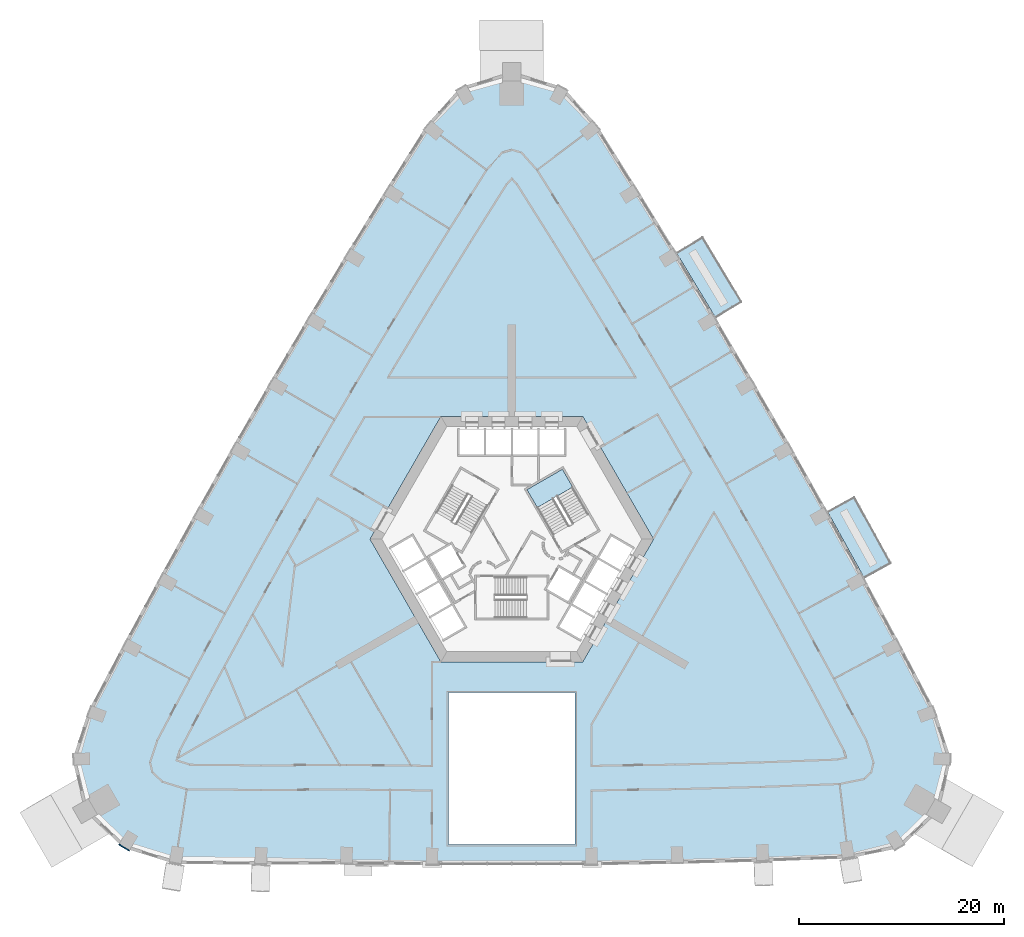
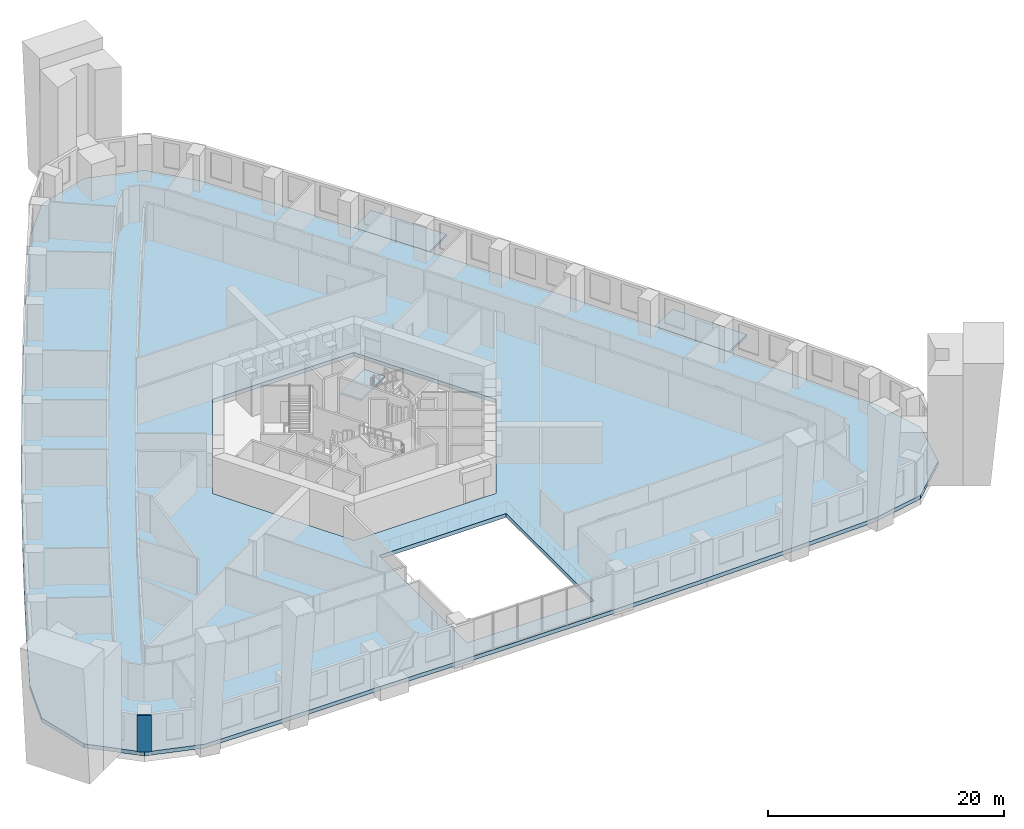
# One storey, part 3 of 16: 4 slabs, 1 wall, 1 element without a shape of its own.
"""IFC4 building model written with IfcOpenShell, lengths in metres."""

from ifc_helpers import new_model, si_unit, direction, frame, frame_2d, origin, place, context, subcontext, project, spatial, polyline, rectangle, outline, extrude, material, layer, layer_set, type_object, element, aggregate, save


model = new_model("IFC4")

# Units and contexts
model_context = context("Model", 3, precision=1e-05, world=origin(), true_north=direction((0.0, 1.0)))
body_context = subcontext(model_context, "Body", "Model", "MODEL_VIEW")
ifc_project = project(units=[si_unit("LENGTHUNIT", "METRE"), si_unit("AREAUNIT", "SQUARE_METRE"), si_unit("VOLUMEUNIT", "CUBIC_METRE"), si_unit("PLANEANGLEUNIT", "RADIAN"), si_unit("MASSUNIT", "GRAM", prefix="KILO")], contexts=[model_context])

# Site, building, storey
site_placement = place(None, origin())
site = spatial("IfcSite", under=ifc_project, at=site_placement, CompositionType="ELEMENT")
building_placement = place(site_placement, origin())
building = spatial("IfcBuilding", under=site, at=building_placement, Name="Entoto Arch Interchange Tower", CompositionType="ELEMENT")
storey_placement = place(building_placement, frame((0.0, 0.0, 60.199951171875)))
storey = spatial("IfcBuildingStorey", under=building, at=storey_placement, Name="L12", CompositionType="ELEMENT", Elevation=60.199951171875)

# Slabs
ifc_material_1 = material(Name="Board-marked precast concrete C50/60", Category="concrete")
ifc_layer_1 = layer(ifc_material_1, 0.25)
ifc_layer_set_1 = layer_set([ifc_layer_1], Name="Board-marked precast concrete C50/60")
slab_type_1 = type_object("IfcSlabType", Name="BALCONY DECK PRECAST 250", PredefinedType="FLOOR", material=ifc_layer_set_1)
slab_1_placement = place(storey_placement, frame((0.0, 0.0, -0.25)))
element("IfcSlab", 1, at=slab_1_placement, inside=storey, type_object=slab_type_1, Name="Planted balcony NE-03 L12", PredefinedType="FLOOR", context=body_context, shape_type="SweptSolid", body=[
    extrude(outline(polyline([(34.429931640625, -1.264892578125), (30.887939453125, 5.14599609375), (33.469970703125, 6.572998046875), (37.011962890625, 0.162109375), (34.429931640625, -1.264892578125)])), origin(), (0.0, 0.0, 1.0), 0.25),
])
slab_2_placement = place(storey_placement, frame((0.0, 0.0, -0.25)))
element("IfcSlab", 2, at=slab_2_placement, inside=storey, type_object=slab_type_1, Name="Planted balcony NE-07 L12", PredefinedType="FLOOR", context=body_context, shape_type="SweptSolid", body=[
    extrude(outline(polyline([(19.89990234375, 24.176025390625), (16.118896484375, 30.449951171875), (18.64599609375, 31.972900390625), (22.427001953125, 25.698974609375), (19.89990234375, 24.176025390625)])), origin(), (0.0, 0.0, 1.0), 0.25),
])

# Stair, slab
ifc_material_2 = material(Name="Concrete C40/50", Category="concrete")
stair_type = type_object("IfcStairType", Name="EXIT STAIR RC 1800", PredefinedType="HALF_TURN_STAIR", material=ifc_material_2)
stair_placement = place(storey_placement, origin())
stair = element("IfcStair", 3, at=stair_placement, inside=storey, type_object=stair_type, Name="L12 Exit stair NE", PredefinedType="HALF_TURN_STAIR")
ifc_layer_2 = layer(ifc_material_2, 0.199951171875)
ifc_layer_set_2 = layer_set([ifc_layer_2], Name="Concrete C40/50")
slab_type_2 = type_object("IfcSlabType", Name="EXIT STAIR LANDING RC 200", PredefinedType="LANDING", material=ifc_layer_set_2)
slab_3_placement = place(storey_placement, frame((0.0, 0.0, 1.900146484375)))
slab_3 = element("IfcSlab", 4, at=slab_3_placement, type_object=slab_type_2, Name="ST-NE landing 1", PredefinedType="LANDING", context=body_context, shape_type="SweptSolid", body=[
    extrude(outline(polyline([(5.953369140625, 7.58837890625), (4.943359375, 9.337890625), (1.479248046875, 7.337890625), (2.4892578125, 5.58837890625), (5.953369140625, 7.58837890625)])), origin(), (0.0, 0.0, 1.0), 0.199951171875),
])
aggregate(stair, [slab_3])

# Slab
ifc_layer_3 = layer(ifc_material_2, 0.39990234375)
ifc_layer_set_3 = layer_set([ifc_layer_3], Name="Concrete C40/50")
slab_type_3 = type_object("IfcSlabType", Name="Post-tensioned flat plate 400 C40/50", PredefinedType="FLOOR", material=ifc_layer_set_3)
slab_4_placement = place(storey_placement, frame((0.0, 0.0, -0.39990234375)))
element("IfcSlab", 5, at=slab_4_placement, inside=storey, type_object=slab_type_3, Name="Floor slab L12", PredefinedType="FLOOR", context=body_context, shape_type="SweptSolid", body=[
    extrude(outline(polyline([(-32.910888671875, -29.23291015625), (-24.5400390625, -29.31494140625), (-16.169921875, -29.26806640625), (-7.800048828125, -29.361083984375), (7.800048828125, -29.361083984375), (16.169921875, -29.23193359375), (24.5400390625, -29.012939453125), (32.910888671875, -28.705078125), (37.924072265625, -27.681884765625), (41.72705078125, -24.091064453125), (42.93505859375, -19.001953125), (41.387939453125, -14.291015625), (37.912109375, -7.7099609375), (34.429931640625, -1.264892578125), (30.887939453125, 5.14599609375), (27.284912109375, 11.52392578125), (23.623046875, 17.866943359375), (19.89990234375, 24.176025390625), (16.118896484375, 30.449951171875), (12.279052734375, 36.68798828125), (8.318115234375, 42.988037109375), (5.010986328125, 46.68408203125), (0.0, 48.181884765625), (-5.010986328125, 46.68408203125), (-8.318115234375, 42.988037109375), (-12.279052734375, 36.68798828125), (-16.118896484375, 30.449951171875), (-19.89990234375, 24.176025390625), (-23.623046875, 17.866943359375), (-27.284912109375, 11.52392578125), (-30.887939453125, 5.14599609375), (-34.429931640625, -1.264892578125), (-37.912109375, -7.7099609375), (-41.387939453125, -14.291015625), (-42.93505859375, -19.001953125), (-41.72705078125, -24.091064453125), (-37.924072265625, -27.681884765625), (-32.910888671875, -29.23291015625)]), holes=[polyline([(6.199951171875, -27.361083984375), (6.199951171875, -12.5), (-6.199951171875, -12.5), (-6.199951171875, -27.361083984375), (6.199951171875, -27.361083984375)]), polyline([(13.85595703125, 2.5), (6.927978515625, 14.5), (-6.927978515625, 14.5), (-13.85595703125, 2.5), (-6.927978515625, -9.5), (6.927978515625, -9.5), (13.85595703125, 2.5)])]), origin(), (0.0, 0.0, 1.0), 0.39990234375),
])

# Wall
ifc_material_3 = material(Name="Welded tuff (ignimbrite) cladding, warm buff", Category="masonry")
ifc_layer_4 = layer(ifc_material_3, 0.10009765625)
ifc_layer_set_4 = layer_set([ifc_layer_4], Name="Welded tuff (ignimbrite) cladding, warm buff")
wall_type = type_object("IfcWallType", Name="STONE PIER CLADDING 100", PredefinedType="STANDARD", material=ifc_layer_set_4)
wall_placement = place(storey_placement, frame((-38.410888671875, -27.327880859375, 0.0), z_axis=(0.0, 0.0, 1.0), x_axis=(0.854716608594, -0.519094903649, 0.0)))
element("IfcWall", 6, at=wall_placement, inside=storey, type_object=wall_type, Name="Stone pier SW3 L12", PredefinedType="STANDARD", context=body_context, shape_type="SweptSolid", body=[
    extrude(rectangle(XDim=1.2001953125, YDim=0.10009765625, at=frame_2d((0.60009765625, 0.0))), origin(), (0.0, 0.0, 1.0), 3.800048828125),
])

save(model, "model.ifc")
